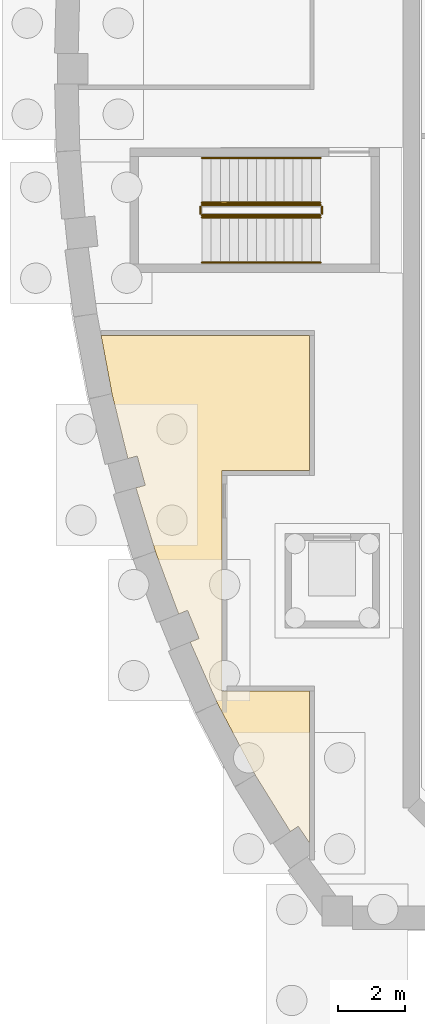
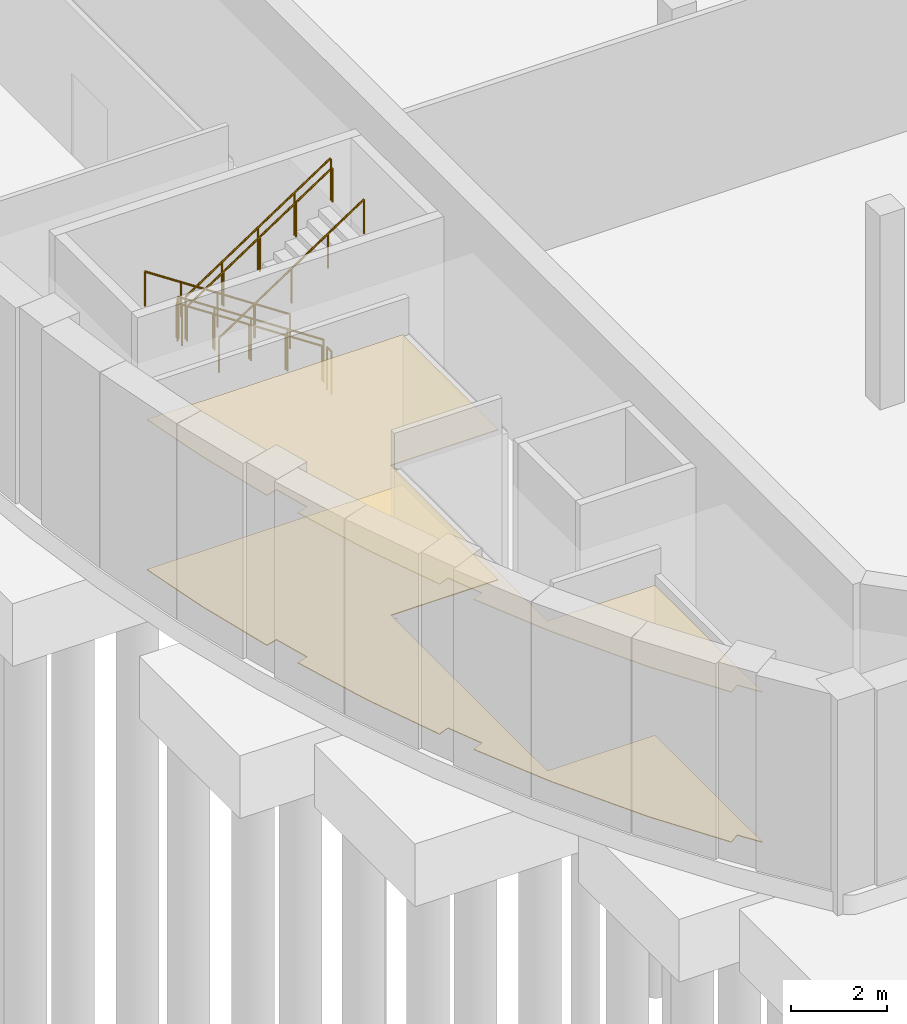
# One storey, part 27 of 33: 8 railings, 2 coverings.
"""IFC4 building model written with IfcOpenShell, lengths in metres."""

from ifc_helpers import new_model, si_unit, direction, frame, origin, origin_2d, place, context, subcontext, project, spatial, polyline, circle, outline, extrude, material, layer, layer_set, type_object, element, save


model = new_model("IFC4")

# Units and contexts
model_context = context("Model", 3, precision=1e-05, world=origin(), true_north=direction((0.0, 1.0)))
body_context = subcontext(model_context, "Body", "Model", "MODEL_VIEW")
ifc_project = project(units=[si_unit("LENGTHUNIT", "METRE"), si_unit("AREAUNIT", "SQUARE_METRE"), si_unit("VOLUMEUNIT", "CUBIC_METRE"), si_unit("PLANEANGLEUNIT", "RADIAN"), si_unit("MASSUNIT", "GRAM", prefix="KILO")], contexts=[model_context])

# Site, building, storey
site_placement = place(None, origin())
site = spatial("IfcSite", under=ifc_project, at=site_placement, CompositionType="ELEMENT")
building_placement = place(site_placement, origin())
building = spatial("IfcBuilding", under=site, at=building_placement, Name="Larchfold Concert Hall", CompositionType="ELEMENT")
storey_placement = place(building_placement, frame((0.0, 0.0, -5.0)))
storey = spatial("IfcBuildingStorey", under=building, at=storey_placement, Name="B1", CompositionType="ELEMENT", Elevation=-5.0)

# Coverings
ifc_material_1 = material(Name="Mineral fibre ceiling tile")
ifc_layer_1 = layer(ifc_material_1, 0.02001953125)
ifc_layer_set_1 = layer_set([ifc_layer_1], Name="Mineral fibre ceiling tile")
covering_type_1 = type_object("IfcCoveringType", Name="Ceiling mineral fibre tile 20", PredefinedType="CEILING", material=ifc_layer_set_1)
covering_1_placement = place(storey_placement, frame((0.0, 0.0, 3.830078125)))
element("IfcCovering", 1, at=covering_1_placement, inside=storey, type_object=covering_type_1, Name="Ceiling Hall Store 01", PredefinedType="CEILING", context=body_context, shape_type="SweptSolid", body=[
    extrude(outline(polyline([(22.800048828125, 72.52490234375), (22.72509765625, 72.525146484375), (22.72509765625, 72.675048828125), (25.324951171875, 72.675048828125), (25.324951171875, 76.675048828125), (19.143798828125, 76.675048828125), (19.466552734375, 74.94677734375), (19.93603515625, 73.02587890625), (20.212890625, 73.101806640625), (20.451171875, 72.234130859375), (20.174560546875, 72.157958984375), (20.754150390625, 70.263916015625), (21.443115234375, 68.412841796875), (21.7080078125, 68.52099609375), (22.0478515625, 67.6875), (21.783203125, 67.57958984375), (22.58837890625, 65.77197265625), (23.7197265625, 63.626708984375), (24.75927734375, 61.953857421875), (24.993896484375, 62.112060546875), (25.324951171875, 61.620849609375), (25.324951171875, 66.125), (22.72509765625, 66.125), (22.72509765625, 72.52490234375), (22.800048828125, 72.52490234375)])), origin(), (0.0, 0.0, 1.0), 0.02001953125),
])
ifc_material_2 = material(Name="Linoleum sheet")
ifc_layer_2 = layer(ifc_material_2, 0.02001953125)
ifc_layer_set_2 = layer_set([ifc_layer_2], Name="Linoleum sheet")
covering_type_2 = type_object("IfcCoveringType", Name="Floor finish vinyl 20", PredefinedType="FLOORING", material=ifc_layer_set_2)
covering_2_placement = place(storey_placement, origin())
element("IfcCovering", 2, at=covering_2_placement, inside=storey, type_object=covering_type_2, Name="Floor finish Hall Store 01", PredefinedType="FLOORING", context=body_context, shape_type="SweptSolid", body=[
    extrude(outline(polyline([(22.800048828125, 72.52490234375), (22.72509765625, 72.525146484375), (22.72509765625, 72.675048828125), (25.324951171875, 72.675048828125), (25.324951171875, 76.675048828125), (19.143798828125, 76.675048828125), (19.466552734375, 74.94677734375), (19.93603515625, 73.02587890625), (20.212890625, 73.101806640625), (20.451171875, 72.234130859375), (20.174560546875, 72.157958984375), (20.754150390625, 70.263916015625), (21.443115234375, 68.412841796875), (21.7080078125, 68.52099609375), (22.0478515625, 67.6875), (21.783203125, 67.57958984375), (22.58837890625, 65.77197265625), (23.7197265625, 63.626708984375), (24.75927734375, 61.953857421875), (24.993896484375, 62.112060546875), (25.324951171875, 61.620849609375), (25.324951171875, 66.125), (22.72509765625, 66.125), (22.72509765625, 72.52490234375), (22.800048828125, 72.52490234375)])), origin(), (0.0, 0.0, 1.0), 0.02001953125),
])

# Railings
ifc_material_3 = material(Name="Stainless steel balustrade", Category="steel")
railing_type_1 = type_object("IfcRailingType", Name="Stair guard 1100", PredefinedType="GUARDRAIL", material=ifc_material_3)
railing_1_placement = place(storey_placement, frame((25.64990234375, 80.550048828125, 0.178466796875)))
element("IfcRailing", 3, at=railing_1_placement, inside=storey, type_object=railing_type_1, Name="Guard GR0009", PredefinedType="GUARDRAIL", context=body_context, shape_type="SweptSolid", body=[
    extrude(circle(Radius=0.02392578125, at=origin_2d()), frame((0.0, 0.0, 1.076171875), z_axis=(-0.834070780157, 0.0, 0.551657442339), x_axis=(0.0, -1.0, 0.0)), (0.0, 0.0, 1.0), 4.208251953125),
    extrude(circle(Radius=0.02099609375, at=origin_2d()), origin(), (0.0, 0.0, 1.0), 1.052001953125),
    extrude(circle(Radius=0.02099609375, at=origin_2d()), frame((-0.87744140625, 0.0, 0.580322265625)), (0.0, 0.0, 1.0), 1.052001953125),
    extrude(circle(Radius=0.02099609375, at=origin_2d()), frame((-1.7548828125, 0.0, 1.16064453125)), (0.0, 0.0, 1.0), 1.052001953125),
    extrude(circle(Radius=0.02099609375, at=origin_2d()), frame((-2.632568359375, 0.0, 1.7412109375)), (0.0, 0.0, 1.0), 1.052001953125),
    extrude(circle(Radius=0.02099609375, at=origin_2d()), frame((-3.510009765625, 0.0, 2.321533203125)), (0.0, 0.0, 1.0), 1.052001953125),
])
railing_2_placement = place(storey_placement, frame((22.08984375, 80.5, 2.5)))
element("IfcRailing", 4, at=railing_2_placement, inside=storey, type_object=railing_type_1, Name="Guard GR0010", PredefinedType="GUARDRAIL", context=body_context, shape_type="SweptSolid", body=[
    extrude(circle(Radius=0.02392578125, at=origin_2d()), frame((0.0, 0.0, 1.076171875), z_axis=(0.0, -1.0, 0.0), x_axis=(1.0, 0.0, 0.0)), (0.0, 0.0, 1.0), 0.199951171875),
    extrude(circle(Radius=0.02099609375, at=origin_2d()), origin(), (0.0, 0.0, 1.0), 1.052001953125),
    extrude(circle(Radius=0.02099609375, at=origin_2d()), frame((0.0, -0.199951171875, 0.0)), (0.0, 0.0, 1.0), 1.052001953125),
])
railing_3_placement = place(storey_placement, frame((22.139892578125, 80.25, 2.678466796875)))
element("IfcRailing", 5, at=railing_3_placement, inside=storey, type_object=railing_type_1, Name="Guard GR0011", PredefinedType="GUARDRAIL", context=body_context, shape_type="SweptSolid", body=[
    extrude(circle(Radius=0.02392578125, at=origin_2d()), frame((0.0, 0.0, 1.076171875), z_axis=(0.834070780157, 0.0, 0.551657442339), x_axis=(0.0, 1.0, 0.0)), (0.0, 0.0, 1.0), 4.208251953125),
    extrude(circle(Radius=0.02099609375, at=origin_2d()), origin(), (0.0, 0.0, 1.0), 1.052001953125),
    extrude(circle(Radius=0.02099609375, at=origin_2d()), frame((0.87744140625, 0.0, 0.580322265625)), (0.0, 0.0, 1.0), 1.052001953125),
    extrude(circle(Radius=0.02099609375, at=origin_2d()), frame((1.7548828125, 0.0, 1.16064453125)), (0.0, 0.0, 1.0), 1.052001953125),
    extrude(circle(Radius=0.02099609375, at=origin_2d()), frame((2.632568359375, 0.0, 1.7412109375)), (0.0, 0.0, 1.0), 1.052001953125),
    extrude(circle(Radius=0.02099609375, at=origin_2d()), frame((3.510009765625, 0.0, 2.321533203125)), (0.0, 0.0, 1.0), 1.052001953125),
])
railing_4_placement = place(storey_placement, frame((25.699951171875, 80.5, 0.0)))
element("IfcRailing", 6, at=railing_4_placement, inside=storey, type_object=railing_type_1, Name="Guard GR0012", PredefinedType="GUARDRAIL", context=body_context, shape_type="SweptSolid", body=[
    extrude(circle(Radius=0.02392578125, at=origin_2d()), frame((0.0, 0.0, 1.076171875), z_axis=(0.0, -1.0, 0.0), x_axis=(1.0, 0.0, 0.0)), (0.0, 0.0, 1.0), 0.199951171875),
    extrude(circle(Radius=0.02099609375, at=origin_2d()), origin(), (0.0, 0.0, 1.0), 1.052001953125),
    extrude(circle(Radius=0.02099609375, at=origin_2d()), frame((0.0, -0.199951171875, 0.0)), (0.0, 0.0, 1.0), 1.052001953125),
])
ifc_material_4 = material(Name="Stainless steel handrail", Category="steel")
railing_type_2 = type_object("IfcRailingType", Name="Stair handrail 900", PredefinedType="HANDRAIL", material=ifc_material_4)
railing_5_placement = place(storey_placement, frame((25.64990234375, 81.949951171875, 0.178466796875)))
element("IfcRailing", 7, at=railing_5_placement, inside=storey, type_object=railing_type_2, Name="Handrail HR0009", PredefinedType="HANDRAIL", context=body_context, shape_type="SweptSolid", body=[
    extrude(circle(Radius=0.02392578125, at=origin_2d()), frame((0.0, 0.0, 0.8759765625), z_axis=(-0.834070780157, 0.0, 0.551657442339), x_axis=(0.0, -1.0, 0.0)), (0.0, 0.0, 1.0), 4.208251953125),
    extrude(circle(Radius=0.02099609375, at=origin_2d()), origin(), (0.0, 0.0, 1.0), 0.851806640625),
    extrude(circle(Radius=0.02099609375, at=origin_2d()), frame((-0.87744140625, 0.0, 0.580322265625)), (0.0, 0.0, 1.0), 0.851806640625),
    extrude(circle(Radius=0.02099609375, at=origin_2d()), frame((-1.7548828125, 0.0, 1.16064453125)), (0.0, 0.0, 1.0), 0.851806640625),
    extrude(circle(Radius=0.02099609375, at=origin_2d()), frame((-2.632568359375, 0.0, 1.7412109375)), (0.0, 0.0, 1.0), 0.851806640625),
    extrude(circle(Radius=0.02099609375, at=origin_2d()), frame((-3.510009765625, 0.0, 2.321533203125)), (0.0, 0.0, 1.0), 0.851806640625),
])
railing_6_placement = place(storey_placement, frame((22.139892578125, 78.85009765625, 2.678466796875)))
element("IfcRailing", 8, at=railing_6_placement, inside=storey, type_object=railing_type_2, Name="Handrail HR0010", PredefinedType="HANDRAIL", context=body_context, shape_type="SweptSolid", body=[
    extrude(circle(Radius=0.02392578125, at=origin_2d()), frame((0.0, 0.0, 0.8759765625), z_axis=(0.834070780157, 0.0, 0.551657442339), x_axis=(0.0, 1.0, 0.0)), (0.0, 0.0, 1.0), 4.208251953125),
    extrude(circle(Radius=0.02099609375, at=origin_2d()), origin(), (0.0, 0.0, 1.0), 0.851806640625),
    extrude(circle(Radius=0.02099609375, at=origin_2d()), frame((0.87744140625, 0.0, 0.580322265625)), (0.0, 0.0, 1.0), 0.851806640625),
    extrude(circle(Radius=0.02099609375, at=origin_2d()), frame((1.7548828125, 0.0, 1.16064453125)), (0.0, 0.0, 1.0), 0.851806640625),
    extrude(circle(Radius=0.02099609375, at=origin_2d()), frame((2.632568359375, 0.0, 1.7412109375)), (0.0, 0.0, 1.0), 0.851806640625),
    extrude(circle(Radius=0.02099609375, at=origin_2d()), frame((3.510009765625, 0.0, 2.321533203125)), (0.0, 0.0, 1.0), 0.851806640625),
])
railing_7_placement = place(storey_placement, frame((25.64990234375, 80.6201171875, 0.178466796875)))
element("IfcRailing", 9, at=railing_7_placement, inside=storey, type_object=railing_type_2, Name="Handrail HR0011", PredefinedType="HANDRAIL", context=body_context, shape_type="SweptSolid", body=[
    extrude(circle(Radius=0.02392578125, at=origin_2d()), frame((0.0, 0.0, 0.8759765625), z_axis=(-0.834070780157, 0.0, 0.551657442339), x_axis=(0.0, -1.0, 0.0)), (0.0, 0.0, 1.0), 4.208251953125),
    extrude(circle(Radius=0.02099609375, at=origin_2d()), origin(), (0.0, 0.0, 1.0), 0.851806640625),
    extrude(circle(Radius=0.02099609375, at=origin_2d()), frame((-0.87744140625, 0.0, 0.580322265625)), (0.0, 0.0, 1.0), 0.851806640625),
    extrude(circle(Radius=0.02099609375, at=origin_2d()), frame((-1.7548828125, 0.0, 1.16064453125)), (0.0, 0.0, 1.0), 0.851806640625),
    extrude(circle(Radius=0.02099609375, at=origin_2d()), frame((-2.632568359375, 0.0, 1.7412109375)), (0.0, 0.0, 1.0), 0.851806640625),
    extrude(circle(Radius=0.02099609375, at=origin_2d()), frame((-3.510009765625, 0.0, 2.321533203125)), (0.0, 0.0, 1.0), 0.851806640625),
])
railing_8_placement = place(storey_placement, frame((22.139892578125, 80.179931640625, 2.678466796875)))
element("IfcRailing", 10, at=railing_8_placement, inside=storey, type_object=railing_type_2, Name="Handrail HR0012", PredefinedType="HANDRAIL", context=body_context, shape_type="SweptSolid", body=[
    extrude(circle(Radius=0.02392578125, at=origin_2d()), frame((0.0, 0.0, 0.8759765625), z_axis=(0.834070780157, 0.0, 0.551657442339), x_axis=(0.0, 1.0, 0.0)), (0.0, 0.0, 1.0), 4.208251953125),
    extrude(circle(Radius=0.02099609375, at=origin_2d()), origin(), (0.0, 0.0, 1.0), 0.851806640625),
    extrude(circle(Radius=0.02099609375, at=origin_2d()), frame((0.87744140625, 0.0, 0.580322265625)), (0.0, 0.0, 1.0), 0.851806640625),
    extrude(circle(Radius=0.02099609375, at=origin_2d()), frame((1.7548828125, 0.0, 1.16064453125)), (0.0, 0.0, 1.0), 0.851806640625),
    extrude(circle(Radius=0.02099609375, at=origin_2d()), frame((2.632568359375, 0.0, 1.7412109375)), (0.0, 0.0, 1.0), 0.851806640625),
    extrude(circle(Radius=0.02099609375, at=origin_2d()), frame((3.510009765625, 0.0, 2.321533203125)), (0.0, 0.0, 1.0), 0.851806640625),
])

save(model, "model.ifc")
